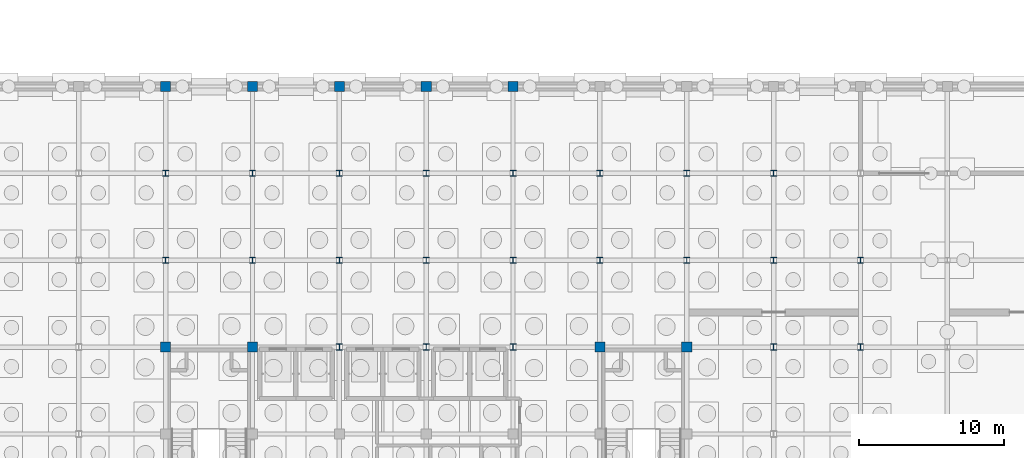
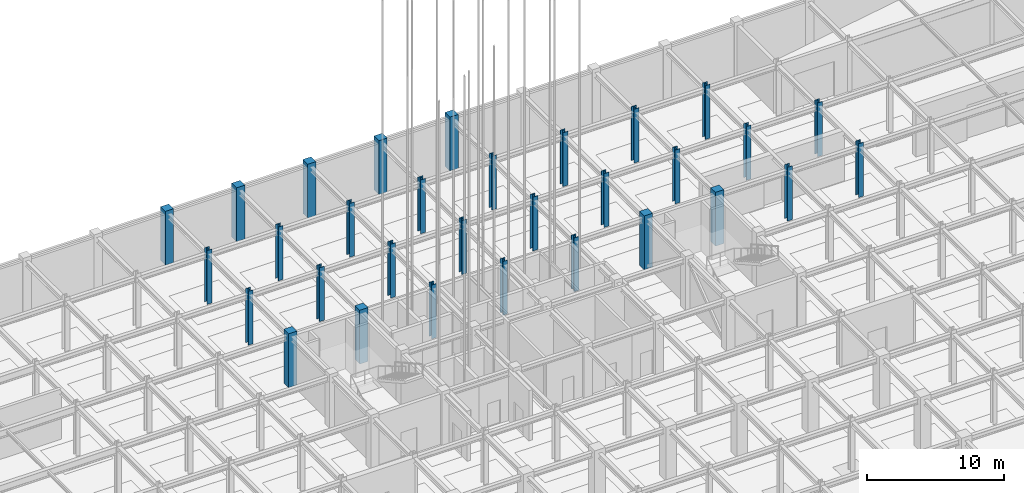
# One storey, part 27 of 69: 31 columns.
"""IFC4 building model written with IfcOpenShell, lengths in metres."""

from ifc_helpers import new_model, si_unit, direction, frame, origin, origin_2d, place, context, subcontext, project, spatial, rectangle, i_section, extrude, material, material_profile, profile_set, type_object, element, save


model = new_model("IFC4")

# Units and contexts
model_context = context("Model", 3, precision=1e-05, world=origin(), true_north=direction((0.0, 1.0)))
body_context = subcontext(model_context, "Body", "Model", "MODEL_VIEW")
ifc_project = project(units=[si_unit("LENGTHUNIT", "METRE"), si_unit("AREAUNIT", "SQUARE_METRE"), si_unit("VOLUMEUNIT", "CUBIC_METRE"), si_unit("PLANEANGLEUNIT", "RADIAN"), si_unit("MASSUNIT", "GRAM", prefix="KILO")], contexts=[model_context])

# Site, building, storey
site_placement = place(None, origin())
site = spatial("IfcSite", under=ifc_project, at=site_placement, CompositionType="ELEMENT")
building_placement = place(site_placement, origin())
building = spatial("IfcBuilding", under=site, at=building_placement, Name="Zlatovratsky Civic Hall", CompositionType="ELEMENT")
storey_placement = place(building_placement, frame((0.0, 0.0, -4.800048828125)))
storey = spatial("IfcBuildingStorey", under=building, at=storey_placement, Name="B1", CompositionType="ELEMENT", Elevation=-4.800048828125)

# Columns
ifc_material_1 = material(Name="Concrete C35/45 (B40)", Category="concrete")
ifc_material_profile_1 = material_profile(ifc_material_1, rectangle(XDim=0.699951171875, YDim=0.699951171875, at=origin_2d()), Name="RC 700x700")
ifc_profile_set_1 = profile_set([ifc_material_profile_1], Name="Concrete C35/45 (B40)")
column_type_1 = type_object("IfcColumnType", Name="Col_CorePier_RC700", PredefinedType="COLUMN", material=ifc_profile_set_1)
for number, where, z_axis, x_axis, name in (
    (1, (66.0, 96.0, 0.0), (0.0, 0.0, 1.0), (1.0, 0.0, 0.0), "CL-0333"),
    (2, (72.0, 96.0, 0.0), (0.0, 0.0, 1.0), (1.0, 0.0, 0.0), "CL-0334"),
    (3, (96.0, 96.0, 0.0), (0.0, 0.0, 1.0), (1.0, 0.0, 0.0), "CL-0338"),
    (4, (102.0, 96.0, 0.0), (0.0, 0.0, 1.0), (1.0, 0.0, 0.0), "CL-0339"),
    (5, (66.0, 114.0, 0.0), (0.0, 0.0, 1.0), (1.0, 0.0, 0.0), "CL-0402"),
    (6, (72.0, 114.0, 0.0), (0.0, 0.0, 1.0), (1.0, 0.0, 0.0), "CL-0403"),
    (7, (78.0, 114.0, 0.0), (0.0, 0.0, 1.0), (1.0, 0.0, 0.0), "CL-0404"),
    (8, (84.0, 114.0, 0.0), (0.0, 0.0, 1.0), (1.0, 0.0, 0.0), "CL-0405"),
    (9, (90.0, 114.0, 0.0), (0.0, 0.0, 1.0), (1.0, 0.0, 0.0), "CL-0406"),
):
    element("IfcColumn", number, at=place(storey_placement, frame(where, z_axis=z_axis, x_axis=x_axis)), inside=storey, type_object=column_type_1, Name=name, PredefinedType="COLUMN", context=body_context, shape_type="SweptSolid", body=[
        extrude(rectangle(XDim=0.699951171875, YDim=0.699951171875, at=origin_2d()), origin(), (0.0, 0.0, 1.0), 4.800048828125),
    ])
ifc_material_2 = material(Name="Steel S355", Category="steel")
ifc_material_profile_2 = material_profile(ifc_material_2, i_section(OverallWidth=0.408935546875, OverallDepth=0.428955078125, WebThickness=0.02392578125, FlangeThickness=0.035400390625, FilletRadius=0.02197265625, at=origin_2d()), Name="40K5")
ifc_profile_set_2 = profile_set([ifc_material_profile_2], Name="Steel S355")
column_type_2 = type_object("IfcColumnType", Name="Col_Steel_40K5", PredefinedType="COLUMN", material=ifc_profile_set_2)
for number, where, z_axis, x_axis, name in (
    (10, (78.0, 96.0, 0.0), (0.0, 0.0, 1.0), (1.0, 0.0, 0.0), "CL-0335"),
    (11, (84.0, 96.0, 0.0), (0.0, 0.0, 1.0), (1.0, 0.0, 0.0), "CL-0336"),
    (12, (90.0, 96.0, 0.0), (0.0, 0.0, 1.0), (1.0, 0.0, 0.0), "CL-0337"),
    (13, (108.0, 96.0, 0.0), (0.0, 0.0, 1.0), (1.0, 0.0, 0.0), "CL-0340"),
    (14, (114.0, 96.0, 0.0), (0.0, 0.0, 1.0), (1.0, 0.0, 0.0), "CL-0341"),
    (15, (66.0, 102.0, 0.0), (0.0, 0.0, 1.0), (1.0, 0.0, 0.0), "CL-0356"),
    (16, (72.0, 102.0, 0.0), (0.0, 0.0, 1.0), (1.0, 0.0, 0.0), "CL-0357"),
    (17, (78.0, 102.0, 0.0), (0.0, 0.0, 1.0), (1.0, 0.0, 0.0), "CL-0358"),
    (18, (84.0, 102.0, 0.0), (0.0, 0.0, 1.0), (1.0, 0.0, 0.0), "CL-0359"),
    (19, (90.0, 102.0, 0.0), (0.0, 0.0, 1.0), (1.0, 0.0, 0.0), "CL-0360"),
    (20, (96.0, 102.0, 0.0), (0.0, 0.0, 1.0), (1.0, 0.0, 0.0), "CL-0361"),
    (21, (102.0, 102.0, 0.0), (0.0, 0.0, 1.0), (1.0, 0.0, 0.0), "CL-0362"),
    (22, (108.0, 102.0, 0.0), (0.0, 0.0, 1.0), (1.0, 0.0, 0.0), "CL-0363"),
    (23, (114.0, 102.0, 0.0), (0.0, 0.0, 1.0), (1.0, 0.0, 0.0), "CL-0364"),
    (24, (66.0, 108.0, 0.0), (0.0, 0.0, 1.0), (1.0, 0.0, 0.0), "CL-0379"),
    (25, (72.0, 108.0, 0.0), (0.0, 0.0, 1.0), (1.0, 0.0, 0.0), "CL-0380"),
    (26, (78.0, 108.0, 0.0), (0.0, 0.0, 1.0), (1.0, 0.0, 0.0), "CL-0381"),
    (27, (84.0, 108.0, 0.0), (0.0, 0.0, 1.0), (1.0, 0.0, 0.0), "CL-0382"),
    (28, (90.0, 108.0, 0.0), (0.0, 0.0, 1.0), (1.0, 0.0, 0.0), "CL-0383"),
    (29, (96.0, 108.0, 0.0), (0.0, 0.0, 1.0), (1.0, 0.0, 0.0), "CL-0384"),
    (30, (102.0, 108.0, 0.0), (0.0, 0.0, 1.0), (1.0, 0.0, 0.0), "CL-0385"),
    (31, (108.0, 108.0, 0.0), (0.0, 0.0, 1.0), (1.0, 0.0, 0.0), "CL-0386"),
):
    element("IfcColumn", number, at=place(storey_placement, frame(where, z_axis=z_axis, x_axis=x_axis)), inside=storey, type_object=column_type_2, Name=name, PredefinedType="COLUMN", context=body_context, shape_type="SweptSolid", body=[
        extrude(i_section(OverallWidth=0.408935546875, OverallDepth=0.428955078125, WebThickness=0.02392578125, FlangeThickness=0.035400390625, FilletRadius=0.02197265625, at=origin_2d()), origin(), (0.0, 0.0, 1.0), 4.800048828125),
    ])

save(model, "model.ifc")
